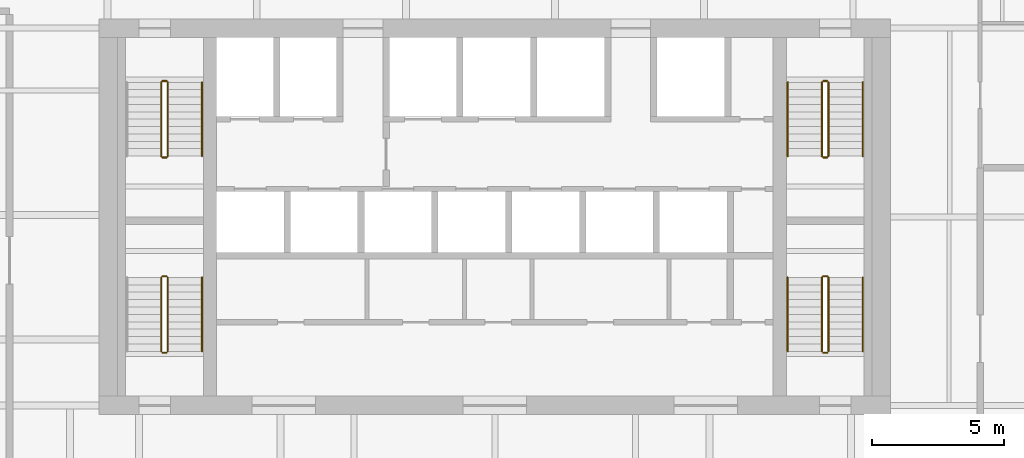
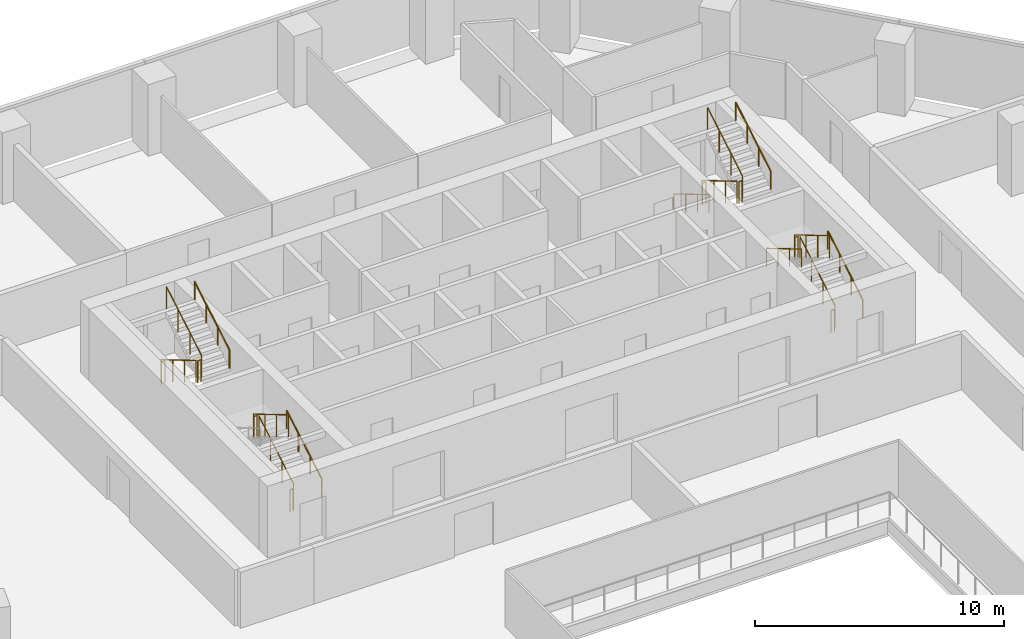
# One storey, part 15 of 16: 22 railings.
"""IFC4 building model written with IfcOpenShell, lengths in metres."""

from ifc_helpers import new_model, si_unit, direction, frame, origin, origin_2d, place, context, subcontext, project, spatial, circle, extrude, material, type_object, element, save


model = new_model("IFC4")

# Units and contexts
model_context = context("Model", 3, precision=1e-05, world=origin(), true_north=direction((0.0, 1.0)))
body_context = subcontext(model_context, "Body", "Model", "MODEL_VIEW")
ifc_project = project(units=[si_unit("LENGTHUNIT", "METRE"), si_unit("AREAUNIT", "SQUARE_METRE"), si_unit("VOLUMEUNIT", "CUBIC_METRE"), si_unit("PLANEANGLEUNIT", "RADIAN"), si_unit("MASSUNIT", "GRAM", prefix="KILO")], contexts=[model_context])

# Site, building, storey
site_placement = place(None, origin())
site = spatial("IfcSite", under=ifc_project, at=site_placement, CompositionType="ELEMENT")
building_placement = place(site_placement, origin())
building = spatial("IfcBuilding", under=site, at=building_placement, Name="Isthmus Gate Tower", CompositionType="ELEMENT")
storey_placement = place(building_placement, frame((0.0, 0.0, 192.699951171875)))
storey = spatial("IfcBuildingStorey", under=building, at=storey_placement, Name="L48", CompositionType="ELEMENT", Elevation=192.699951171875)

# Railings
ifc_material_1 = material(Name="Stainless steel balustrade", Category="steel")
railing_type_1 = type_object("IfcRailingType", Name="STAIR GUARD 1100", PredefinedType="GUARDRAIL", material=ifc_material_1)
railing_1_placement = place(storey_placement, frame((-12.64990234375, 12.60009765625, 0.166015625)))
element("IfcRailing", 1, at=railing_1_placement, inside=storey, type_object=railing_type_1, Name="L48 ST1 stair guard 1", PredefinedType="GUARDRAIL", context=body_context, shape_type="SweptSolid", body=[
    extrude(circle(Radius=0.02392578125, at=origin_2d()), frame((0.0, 0.0, 1.076171875), z_axis=(0.0, -0.860339051648, 0.50972219513), x_axis=(1.0, 0.0, 0.0)), (0.0, 0.0, 1.0), 3.254638671875),
    extrude(circle(Radius=0.02099609375, at=origin_2d()), origin(), (0.0, 0.0, 1.0), 1.052001953125),
    extrude(circle(Radius=0.02099609375, at=origin_2d()), frame((0.0, -0.933349609375, 0.552978515625)), (0.0, 0.0, 1.0), 1.052001953125),
    extrude(circle(Radius=0.02099609375, at=origin_2d()), frame((0.0, -1.86669921875, 1.10595703125)), (0.0, 0.0, 1.0), 1.052001953125),
    extrude(circle(Radius=0.02099609375, at=origin_2d()), frame((0.0, -2.800048828125, 1.658935546875)), (0.0, 0.0, 1.0), 1.052001953125),
])
railing_2_placement = place(storey_placement, frame((-12.60009765625, 9.75, 1.824951171875)))
element("IfcRailing", 2, at=railing_2_placement, inside=storey, type_object=railing_type_1, Name="L48 ST1 stair guard 2", PredefinedType="GUARDRAIL", context=body_context, shape_type="SweptSolid", body=[
    extrude(circle(Radius=0.02392578125, at=origin_2d()), frame((0.0, 0.0, 1.076171875), z_axis=(1.0, 0.0, 0.0), x_axis=(0.0, 1.0, 0.0)), (0.0, 0.0, 1.0), 0.150146484375),
    extrude(circle(Radius=0.02099609375, at=origin_2d()), origin(), (0.0, 0.0, 1.0), 1.052001953125),
    extrude(circle(Radius=0.02099609375, at=origin_2d()), frame((0.150146484375, 0.0, 0.0)), (0.0, 0.0, 1.0), 1.052001953125),
])
railing_3_placement = place(storey_placement, frame((-12.39990234375, 9.800048828125, 1.990966796875)))
element("IfcRailing", 3, at=railing_3_placement, inside=storey, type_object=railing_type_1, Name="L48 ST1 stair guard 3", PredefinedType="GUARDRAIL", context=body_context, shape_type="SweptSolid", body=[
    extrude(circle(Radius=0.02392578125, at=origin_2d()), frame((0.0, 0.0, 1.076171875), z_axis=(0.0, 0.860306154799, 0.50977771628), x_axis=(-1.0, 0.0, 0.0)), (0.0, 0.0, 1.0), 3.254638671875),
    extrude(circle(Radius=0.02099609375, at=origin_2d()), origin(), (0.0, 0.0, 1.0), 1.052001953125),
    extrude(circle(Radius=0.02099609375, at=origin_2d()), frame((0.0, 0.933349609375, 0.552978515625)), (0.0, 0.0, 1.0), 1.052001953125),
    extrude(circle(Radius=0.02099609375, at=origin_2d()), frame((0.0, 1.86669921875, 1.106201171875)), (0.0, 0.0, 1.0), 1.052001953125),
    extrude(circle(Radius=0.02099609375, at=origin_2d()), frame((0.0, 2.800048828125, 1.6591796875)), (0.0, 0.0, 1.0), 1.052001953125),
])
railing_4_placement = place(storey_placement, frame((-12.60009765625, 12.64990234375, 0.0)))
element("IfcRailing", 4, at=railing_4_placement, inside=storey, type_object=railing_type_1, Name="L48 ST1 stair guard 4", PredefinedType="GUARDRAIL", context=body_context, shape_type="SweptSolid", body=[
    extrude(circle(Radius=0.02392578125, at=origin_2d()), frame((0.0, 0.0, 1.076171875), z_axis=(1.0, 0.0, 0.0), x_axis=(0.0, 1.0, 0.0)), (0.0, 0.0, 1.0), 0.150146484375),
    extrude(circle(Radius=0.02099609375, at=origin_2d()), origin(), (0.0, 0.0, 1.0), 1.052001953125),
    extrude(circle(Radius=0.02099609375, at=origin_2d()), frame((0.150146484375, 0.0, 0.0)), (0.0, 0.0, 1.0), 1.052001953125),
])
railing_5_placement = place(storey_placement, frame((12.39990234375, 12.60009765625, 0.166015625)))
element("IfcRailing", 5, at=railing_5_placement, inside=storey, type_object=railing_type_1, Name="L48 ST2 stair guard 1", PredefinedType="GUARDRAIL", context=body_context, shape_type="SweptSolid", body=[
    extrude(circle(Radius=0.02392578125, at=origin_2d()), frame((0.0, 0.0, 1.076171875), z_axis=(0.0, -0.860339051648, 0.50972219513), x_axis=(1.0, 0.0, 0.0)), (0.0, 0.0, 1.0), 3.254638671875),
    extrude(circle(Radius=0.02099609375, at=origin_2d()), origin(), (0.0, 0.0, 1.0), 1.052001953125),
    extrude(circle(Radius=0.02099609375, at=origin_2d()), frame((0.0, -0.933349609375, 0.552978515625)), (0.0, 0.0, 1.0), 1.052001953125),
    extrude(circle(Radius=0.02099609375, at=origin_2d()), frame((0.0, -1.86669921875, 1.10595703125)), (0.0, 0.0, 1.0), 1.052001953125),
    extrude(circle(Radius=0.02099609375, at=origin_2d()), frame((0.0, -2.800048828125, 1.658935546875)), (0.0, 0.0, 1.0), 1.052001953125),
])
railing_6_placement = place(storey_placement, frame((12.449951171875, 9.75, 1.824951171875)))
element("IfcRailing", 6, at=railing_6_placement, inside=storey, type_object=railing_type_1, Name="L48 ST2 stair guard 2", PredefinedType="GUARDRAIL", context=body_context, shape_type="SweptSolid", body=[
    extrude(circle(Radius=0.02392578125, at=origin_2d()), frame((0.0, 0.0, 1.076171875), z_axis=(1.0, 0.0, 0.0), x_axis=(0.0, 1.0, 0.0)), (0.0, 0.0, 1.0), 0.150146484375),
    extrude(circle(Radius=0.02099609375, at=origin_2d()), origin(), (0.0, 0.0, 1.0), 1.052001953125),
    extrude(circle(Radius=0.02099609375, at=origin_2d()), frame((0.150146484375, 0.0, 0.0)), (0.0, 0.0, 1.0), 1.052001953125),
])
railing_7_placement = place(storey_placement, frame((12.64990234375, 9.800048828125, 1.990966796875)))
element("IfcRailing", 7, at=railing_7_placement, inside=storey, type_object=railing_type_1, Name="L48 ST2 stair guard 3", PredefinedType="GUARDRAIL", context=body_context, shape_type="SweptSolid", body=[
    extrude(circle(Radius=0.02392578125, at=origin_2d()), frame((0.0, 0.0, 1.076171875), z_axis=(0.0, 0.860306154799, 0.50977771628), x_axis=(-1.0, 0.0, 0.0)), (0.0, 0.0, 1.0), 3.254638671875),
    extrude(circle(Radius=0.02099609375, at=origin_2d()), origin(), (0.0, 0.0, 1.0), 1.052001953125),
    extrude(circle(Radius=0.02099609375, at=origin_2d()), frame((0.0, 0.933349609375, 0.552978515625)), (0.0, 0.0, 1.0), 1.052001953125),
    extrude(circle(Radius=0.02099609375, at=origin_2d()), frame((0.0, 1.86669921875, 1.106201171875)), (0.0, 0.0, 1.0), 1.052001953125),
    extrude(circle(Radius=0.02099609375, at=origin_2d()), frame((0.0, 2.800048828125, 1.6591796875)), (0.0, 0.0, 1.0), 1.052001953125),
])
railing_8_placement = place(storey_placement, frame((12.449951171875, 12.64990234375, 0.0)))
element("IfcRailing", 8, at=railing_8_placement, inside=storey, type_object=railing_type_1, Name="L48 ST2 stair guard 4", PredefinedType="GUARDRAIL", context=body_context, shape_type="SweptSolid", body=[
    extrude(circle(Radius=0.02392578125, at=origin_2d()), frame((0.0, 0.0, 1.076171875), z_axis=(1.0, 0.0, 0.0), x_axis=(0.0, 1.0, 0.0)), (0.0, 0.0, 1.0), 0.150146484375),
    extrude(circle(Radius=0.02099609375, at=origin_2d()), origin(), (0.0, 0.0, 1.0), 1.052001953125),
    extrude(circle(Radius=0.02099609375, at=origin_2d()), frame((0.150146484375, 0.0, 0.0)), (0.0, 0.0, 1.0), 1.052001953125),
])
railing_9_placement = place(storey_placement, frame((-12.39990234375, 2.39990234375, 0.166015625)))
element("IfcRailing", 9, at=railing_9_placement, inside=storey, type_object=railing_type_1, Name="L48 ST7 stair guard 1", PredefinedType="GUARDRAIL", context=body_context, shape_type="SweptSolid", body=[
    extrude(circle(Radius=0.02392578125, at=origin_2d()), frame((0.0, 0.0, 1.076171875), z_axis=(0.0, 0.860339051648, 0.50972219513), x_axis=(-1.0, 0.0, 0.0)), (0.0, 0.0, 1.0), 3.254638671875),
    extrude(circle(Radius=0.02099609375, at=origin_2d()), origin(), (0.0, 0.0, 1.0), 1.052001953125),
    extrude(circle(Radius=0.02099609375, at=origin_2d()), frame((0.0, 0.933349609375, 0.552978515625)), (0.0, 0.0, 1.0), 1.052001953125),
    extrude(circle(Radius=0.02099609375, at=origin_2d()), frame((0.0, 1.86669921875, 1.10595703125)), (0.0, 0.0, 1.0), 1.052001953125),
    extrude(circle(Radius=0.02099609375, at=origin_2d()), frame((0.0, 2.800048828125, 1.658935546875)), (0.0, 0.0, 1.0), 1.052001953125),
])
railing_10_placement = place(storey_placement, frame((-12.449951171875, 5.25, 1.824951171875)))
element("IfcRailing", 10, at=railing_10_placement, inside=storey, type_object=railing_type_1, Name="L48 ST7 stair guard 2", PredefinedType="GUARDRAIL", context=body_context, shape_type="SweptSolid", body=[
    extrude(circle(Radius=0.02392578125, at=origin_2d()), frame((0.0, 0.0, 1.076171875), z_axis=(-1.0, 0.0, 0.0), x_axis=(0.0, -1.0, 0.0)), (0.0, 0.0, 1.0), 0.150146484375),
    extrude(circle(Radius=0.02099609375, at=origin_2d()), origin(), (0.0, 0.0, 1.0), 1.052001953125),
    extrude(circle(Radius=0.02099609375, at=origin_2d()), frame((-0.150146484375, 0.0, 0.0)), (0.0, 0.0, 1.0), 1.052001953125),
])
railing_11_placement = place(storey_placement, frame((-12.64990234375, 5.199951171875, 1.990966796875)))
element("IfcRailing", 11, at=railing_11_placement, inside=storey, type_object=railing_type_1, Name="L48 ST7 stair guard 3", PredefinedType="GUARDRAIL", context=body_context, shape_type="SweptSolid", body=[
    extrude(circle(Radius=0.02392578125, at=origin_2d()), frame((0.0, 0.0, 1.076171875), z_axis=(0.0, -0.860306154799, 0.50977771628), x_axis=(1.0, 0.0, 0.0)), (0.0, 0.0, 1.0), 3.254638671875),
    extrude(circle(Radius=0.02099609375, at=origin_2d()), origin(), (0.0, 0.0, 1.0), 1.052001953125),
    extrude(circle(Radius=0.02099609375, at=origin_2d()), frame((0.0, -0.933349609375, 0.552978515625)), (0.0, 0.0, 1.0), 1.052001953125),
    extrude(circle(Radius=0.02099609375, at=origin_2d()), frame((0.0, -1.86669921875, 1.106201171875)), (0.0, 0.0, 1.0), 1.052001953125),
    extrude(circle(Radius=0.02099609375, at=origin_2d()), frame((0.0, -2.800048828125, 1.6591796875)), (0.0, 0.0, 1.0), 1.052001953125),
])
railing_12_placement = place(storey_placement, frame((-12.449951171875, 2.35009765625, 0.0)))
element("IfcRailing", 12, at=railing_12_placement, inside=storey, type_object=railing_type_1, Name="L48 ST7 stair guard 4", PredefinedType="GUARDRAIL", context=body_context, shape_type="SweptSolid", body=[
    extrude(circle(Radius=0.02392578125, at=origin_2d()), frame((0.0, 0.0, 1.076171875), z_axis=(-1.0, 0.0, 0.0), x_axis=(0.0, -1.0, 0.0)), (0.0, 0.0, 1.0), 0.150146484375),
    extrude(circle(Radius=0.02099609375, at=origin_2d()), origin(), (0.0, 0.0, 1.0), 1.052001953125),
    extrude(circle(Radius=0.02099609375, at=origin_2d()), frame((-0.150146484375, 0.0, 0.0)), (0.0, 0.0, 1.0), 1.052001953125),
])
railing_13_placement = place(storey_placement, frame((12.64990234375, 2.39990234375, 0.166015625)))
element("IfcRailing", 13, at=railing_13_placement, inside=storey, type_object=railing_type_1, Name="L48 ST8 stair guard 1", PredefinedType="GUARDRAIL", context=body_context, shape_type="SweptSolid", body=[
    extrude(circle(Radius=0.02392578125, at=origin_2d()), frame((0.0, 0.0, 1.076171875), z_axis=(0.0, 0.860339051648, 0.50972219513), x_axis=(-1.0, 0.0, 0.0)), (0.0, 0.0, 1.0), 3.254638671875),
    extrude(circle(Radius=0.02099609375, at=origin_2d()), origin(), (0.0, 0.0, 1.0), 1.052001953125),
    extrude(circle(Radius=0.02099609375, at=origin_2d()), frame((0.0, 0.933349609375, 0.552978515625)), (0.0, 0.0, 1.0), 1.052001953125),
    extrude(circle(Radius=0.02099609375, at=origin_2d()), frame((0.0, 1.86669921875, 1.10595703125)), (0.0, 0.0, 1.0), 1.052001953125),
    extrude(circle(Radius=0.02099609375, at=origin_2d()), frame((0.0, 2.800048828125, 1.658935546875)), (0.0, 0.0, 1.0), 1.052001953125),
])
railing_14_placement = place(storey_placement, frame((12.60009765625, 5.25, 1.824951171875)))
element("IfcRailing", 14, at=railing_14_placement, inside=storey, type_object=railing_type_1, Name="L48 ST8 stair guard 2", PredefinedType="GUARDRAIL", context=body_context, shape_type="SweptSolid", body=[
    extrude(circle(Radius=0.02392578125, at=origin_2d()), frame((0.0, 0.0, 1.076171875), z_axis=(-1.0, 0.0, 0.0), x_axis=(0.0, -1.0, 0.0)), (0.0, 0.0, 1.0), 0.150146484375),
    extrude(circle(Radius=0.02099609375, at=origin_2d()), origin(), (0.0, 0.0, 1.0), 1.052001953125),
    extrude(circle(Radius=0.02099609375, at=origin_2d()), frame((-0.150146484375, 0.0, 0.0)), (0.0, 0.0, 1.0), 1.052001953125),
])
railing_15_placement = place(storey_placement, frame((12.39990234375, 5.199951171875, 1.990966796875)))
element("IfcRailing", 15, at=railing_15_placement, inside=storey, type_object=railing_type_1, Name="L48 ST8 stair guard 3", PredefinedType="GUARDRAIL", context=body_context, shape_type="SweptSolid", body=[
    extrude(circle(Radius=0.02392578125, at=origin_2d()), frame((0.0, 0.0, 1.076171875), z_axis=(0.0, -0.860306154799, 0.50977771628), x_axis=(1.0, 0.0, 0.0)), (0.0, 0.0, 1.0), 3.254638671875),
    extrude(circle(Radius=0.02099609375, at=origin_2d()), origin(), (0.0, 0.0, 1.0), 1.052001953125),
    extrude(circle(Radius=0.02099609375, at=origin_2d()), frame((0.0, -0.933349609375, 0.552978515625)), (0.0, 0.0, 1.0), 1.052001953125),
    extrude(circle(Radius=0.02099609375, at=origin_2d()), frame((0.0, -1.86669921875, 1.106201171875)), (0.0, 0.0, 1.0), 1.052001953125),
    extrude(circle(Radius=0.02099609375, at=origin_2d()), frame((0.0, -2.800048828125, 1.6591796875)), (0.0, 0.0, 1.0), 1.052001953125),
])
railing_16_placement = place(storey_placement, frame((12.60009765625, 2.35009765625, 0.0)))
element("IfcRailing", 16, at=railing_16_placement, inside=storey, type_object=railing_type_1, Name="L48 ST8 stair guard 4", PredefinedType="GUARDRAIL", context=body_context, shape_type="SweptSolid", body=[
    extrude(circle(Radius=0.02392578125, at=origin_2d()), frame((0.0, 0.0, 1.076171875), z_axis=(-1.0, 0.0, 0.0), x_axis=(0.0, -1.0, 0.0)), (0.0, 0.0, 1.0), 0.150146484375),
    extrude(circle(Radius=0.02099609375, at=origin_2d()), origin(), (0.0, 0.0, 1.0), 1.052001953125),
    extrude(circle(Radius=0.02099609375, at=origin_2d()), frame((-0.150146484375, 0.0, 0.0)), (0.0, 0.0, 1.0), 1.052001953125),
])
ifc_material_2 = material(Name="Stainless steel handrail", Category="steel")
railing_type_2 = type_object("IfcRailingType", Name="STAIR HANDRAIL 900", PredefinedType="HANDRAIL", material=ifc_material_2)
railing_17_placement = place(storey_placement, frame((-11.10009765625, 9.800048828125, 1.990966796875)))
element("IfcRailing", 17, at=railing_17_placement, inside=storey, type_object=railing_type_2, Name="L48 ST1 stair handrail 2", PredefinedType="HANDRAIL", context=body_context, shape_type="SweptSolid", body=[
    extrude(circle(Radius=0.02392578125, at=origin_2d()), frame((0.0, 0.0, 0.8759765625), z_axis=(0.0, 0.860306154799, 0.50977771628), x_axis=(-1.0, 0.0, 0.0)), (0.0, 0.0, 1.0), 3.254638671875),
    extrude(circle(Radius=0.02099609375, at=origin_2d()), origin(), (0.0, 0.0, 1.0), 0.851806640625),
    extrude(circle(Radius=0.02099609375, at=origin_2d()), frame((0.0, 0.933349609375, 0.552978515625)), (0.0, 0.0, 1.0), 0.851806640625),
    extrude(circle(Radius=0.02099609375, at=origin_2d()), frame((0.0, 1.86669921875, 1.106201171875)), (0.0, 0.0, 1.0), 0.851806640625),
    extrude(circle(Radius=0.02099609375, at=origin_2d()), frame((0.0, 2.800048828125, 1.6591796875)), (0.0, 0.0, 1.0), 0.851806640625),
])
railing_18_placement = place(storey_placement, frame((11.10009765625, 12.60009765625, 0.166015625)))
element("IfcRailing", 18, at=railing_18_placement, inside=storey, type_object=railing_type_2, Name="L48 ST2 stair handrail 1", PredefinedType="HANDRAIL", context=body_context, shape_type="SweptSolid", body=[
    extrude(circle(Radius=0.02392578125, at=origin_2d()), frame((0.0, 0.0, 0.8759765625), z_axis=(0.0, -0.860339051648, 0.50972219513), x_axis=(1.0, 0.0, 0.0)), (0.0, 0.0, 1.0), 3.254638671875),
    extrude(circle(Radius=0.02099609375, at=origin_2d()), origin(), (0.0, 0.0, 1.0), 0.851806640625),
    extrude(circle(Radius=0.02099609375, at=origin_2d()), frame((0.0, -0.933349609375, 0.552978515625)), (0.0, 0.0, 1.0), 0.851806640625),
    extrude(circle(Radius=0.02099609375, at=origin_2d()), frame((0.0, -1.86669921875, 1.10595703125)), (0.0, 0.0, 1.0), 0.851806640625),
    extrude(circle(Radius=0.02099609375, at=origin_2d()), frame((0.0, -2.800048828125, 1.658935546875)), (0.0, 0.0, 1.0), 0.851806640625),
])
railing_19_placement = place(storey_placement, frame((13.949951171875, 9.800048828125, 1.990966796875)))
element("IfcRailing", 19, at=railing_19_placement, inside=storey, type_object=railing_type_2, Name="L48 ST2 stair handrail 2", PredefinedType="HANDRAIL", context=body_context, shape_type="SweptSolid", body=[
    extrude(circle(Radius=0.02392578125, at=origin_2d()), frame((0.0, 0.0, 0.8759765625), z_axis=(0.0, 0.860306154799, 0.50977771628), x_axis=(-1.0, 0.0, 0.0)), (0.0, 0.0, 1.0), 3.254638671875),
    extrude(circle(Radius=0.02099609375, at=origin_2d()), origin(), (0.0, 0.0, 1.0), 0.851806640625),
    extrude(circle(Radius=0.02099609375, at=origin_2d()), frame((0.0, 0.933349609375, 0.552978515625)), (0.0, 0.0, 1.0), 0.851806640625),
    extrude(circle(Radius=0.02099609375, at=origin_2d()), frame((0.0, 1.86669921875, 1.106201171875)), (0.0, 0.0, 1.0), 0.851806640625),
    extrude(circle(Radius=0.02099609375, at=origin_2d()), frame((0.0, 2.800048828125, 1.6591796875)), (0.0, 0.0, 1.0), 0.851806640625),
])
for number, where, name in (
    (20, (-11.10009765625, 2.39990234375, 0.166015625), "L48 ST7 stair handrail 1"),
    (21, (13.949951171875, 2.39990234375, 0.166015625), "L48 ST8 stair handrail 1"),
):
    element("IfcRailing", number, at=place(storey_placement, frame(where)), inside=storey, type_object=railing_type_2, Name=name, PredefinedType="HANDRAIL", context=body_context, shape_type="SweptSolid", body=[
        extrude(circle(Radius=0.02392578125, at=origin_2d()), frame((0.0, 0.0, 0.8759765625), z_axis=(0.0, 0.860339051648, 0.50972219513), x_axis=(-1.0, 0.0, 0.0)), (0.0, 0.0, 1.0), 3.254638671875),
        extrude(circle(Radius=0.02099609375, at=origin_2d()), origin(), (0.0, 0.0, 1.0), 0.851806640625),
        extrude(circle(Radius=0.02099609375, at=origin_2d()), frame((0.0, 0.933349609375, 0.552978515625)), (0.0, 0.0, 1.0), 0.851806640625),
        extrude(circle(Radius=0.02099609375, at=origin_2d()), frame((0.0, 1.86669921875, 1.10595703125)), (0.0, 0.0, 1.0), 0.851806640625),
        extrude(circle(Radius=0.02099609375, at=origin_2d()), frame((0.0, 2.800048828125, 1.658935546875)), (0.0, 0.0, 1.0), 0.851806640625),
    ])
railing_20_placement = place(storey_placement, frame((11.10009765625, 5.199951171875, 1.990966796875)))
element("IfcRailing", 22, at=railing_20_placement, inside=storey, type_object=railing_type_2, Name="L48 ST8 stair handrail 2", PredefinedType="HANDRAIL", context=body_context, shape_type="SweptSolid", body=[
    extrude(circle(Radius=0.02392578125, at=origin_2d()), frame((0.0, 0.0, 0.8759765625), z_axis=(0.0, -0.860306154799, 0.50977771628), x_axis=(1.0, 0.0, 0.0)), (0.0, 0.0, 1.0), 3.254638671875),
    extrude(circle(Radius=0.02099609375, at=origin_2d()), origin(), (0.0, 0.0, 1.0), 0.851806640625),
    extrude(circle(Radius=0.02099609375, at=origin_2d()), frame((0.0, -0.933349609375, 0.552978515625)), (0.0, 0.0, 1.0), 0.851806640625),
    extrude(circle(Radius=0.02099609375, at=origin_2d()), frame((0.0, -1.86669921875, 1.106201171875)), (0.0, 0.0, 1.0), 0.851806640625),
    extrude(circle(Radius=0.02099609375, at=origin_2d()), frame((0.0, -2.800048828125, 1.6591796875)), (0.0, 0.0, 1.0), 0.851806640625),
])

save(model, "model.ifc")
